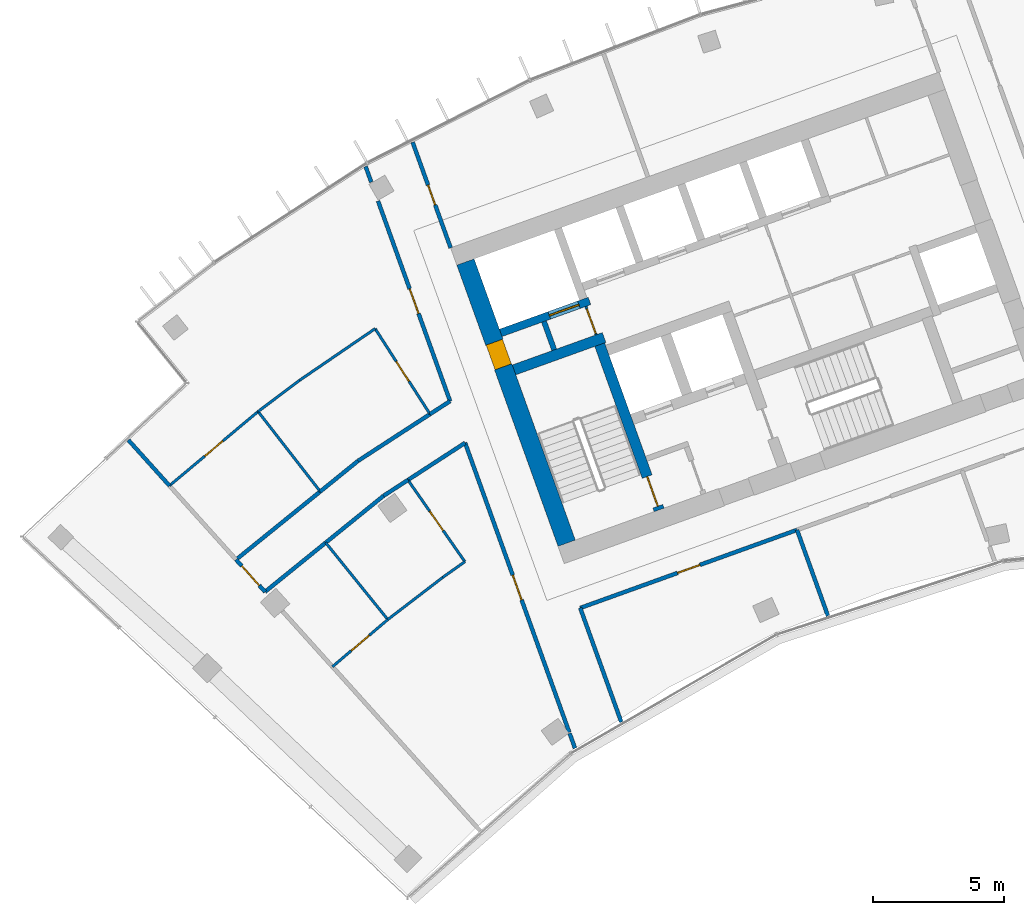
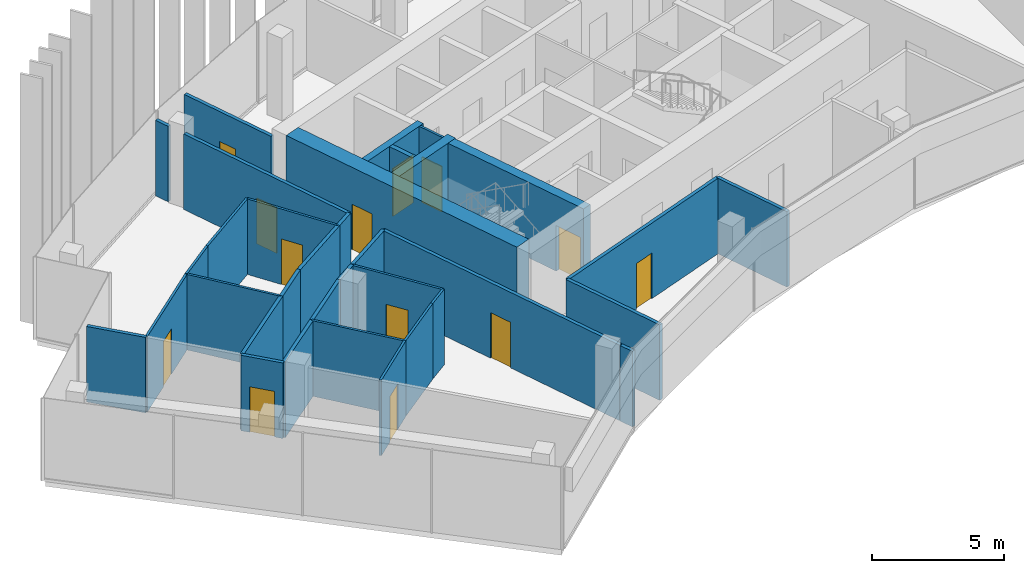
# One storey, part 13 of 19: 34 walls, 13 doors, 13 openings.
"""IFC4 building model written with IfcOpenShell, lengths in metres."""

from ifc_helpers import new_model, si_unit, direction, frame, frame_2d, origin, place, context, subcontext, project, spatial, rectangle, extrude, material, layer, layer_set, type_object, element, fill, save


model = new_model("IFC4")

# Units and contexts
model_context = context("Model", 3, precision=1e-05, world=origin(), true_north=direction((0.0, 1.0)))
body_context = subcontext(model_context, "Body", "Model", "MODEL_VIEW")
ifc_project = project(units=[si_unit("LENGTHUNIT", "METRE"), si_unit("AREAUNIT", "SQUARE_METRE"), si_unit("VOLUMEUNIT", "CUBIC_METRE"), si_unit("PLANEANGLEUNIT", "RADIAN"), si_unit("MASSUNIT", "GRAM", prefix="KILO")], contexts=[model_context])

# Site, building, storey
site_placement = place(None, origin())
site = spatial("IfcSite", under=ifc_project, at=site_placement, CompositionType="ELEMENT")
building_placement = place(site_placement, origin())
building = spatial("IfcBuilding", under=site, at=building_placement, Name="Stone Belt Terrace Tower", CompositionType="ELEMENT")
storey_placement = place(building_placement, frame((0.0, 0.0, 280.800048828125)))
storey = spatial("IfcBuildingStorey", under=building, at=storey_placement, Name="L68", CompositionType="ELEMENT", Elevation=280.800048828125)

# Wall, opening, door
ifc_material_1 = material(Name="Plasterboard partition")
ifc_layer_1 = layer(ifc_material_1, 0.10009765625)
ifc_layer_set_1 = layer_set([ifc_layer_1], Name="Core partition 100")
wall_type_1 = type_object("IfcWallType", Name="Core partition 100", PredefinedType="PARTITIONING", material=ifc_layer_set_1)
wall_1_placement = place(storey_placement, frame((-24.555908203125, 51.10400390625, 0.0), z_axis=(0.0, 0.0, 1.0), x_axis=(-0.338621735342, 0.94092258999, 0.0)))
wall_1 = element("IfcWall", 1, at=wall_1_placement, inside=storey, type_object=wall_type_1, Name="Core A wall", PredefinedType="PARTITIONING", context=body_context, shape_type="SweptSolid", body=[
    extrude(rectangle(XDim=1.14990234375, YDim=0.10009765625, at=frame_2d((0.574951171875, 0.0))), origin(), (0.0, 0.0, 1.0), 3.47998046875),
])
opening_1_placement = place(wall_1_placement, frame((0.050048828125, 0.0, 0.0)))
opening_1 = element("IfcOpeningElement", 2, at=opening_1_placement, cuts=wall_1, Name="Opening L68-C07", PredefinedType="OPENING", context=body_context, shape_type="SweptSolid", body=[
    extrude(rectangle(XDim=1.0, YDim=2.10009765625, at=frame_2d((0.5, 1.050048828125))), frame((0.0, 0.06005859375, 0.0), z_axis=(0.0, -1.0, 0.0), x_axis=(1.0, 0.0, 0.0)), (0.0, 0.0, 1.0), 0.1201171875),
])
ifc_material_2 = material(Name="Timber door leaf", Category="wood")
door_type_1 = type_object("IfcDoorType", Name="Core room door 1000", OperationType="SINGLE_SWING_LEFT", PredefinedType="DOOR", material=ifc_material_2)
door_1_placement = place(opening_1_placement, origin())
door_1 = element("IfcDoor", 3, at=door_1_placement, inside=storey, type_object=door_type_1, Name="Service lift lobby door core A", OperationType="SINGLE_SWING_LEFT", OverallHeight=2.10009765625, OverallWidth=1.0, PredefinedType="DOOR", context=body_context, shape_type="SweptSolid", body=[
    extrude(rectangle(XDim=1.0, YDim=2.10009765625, at=frame_2d((0.5, 1.050048828125))), frame((0.0, 0.02490234375, 0.0), z_axis=(0.0, -1.0, 0.0), x_axis=(1.0, 0.0, 0.0)), (0.0, 0.0, 1.0), 0.050048828125),
])
fill(opening_1, door_1)

ifc_material_3 = material(Name="Concrete B60", Category="concrete")
ifc_layer_2 = layer(ifc_material_3, 0.699951171875)
ifc_layer_set_2 = layer_set([ifc_layer_2], Name="Core wall 700 B60")
wall_type_2 = type_object("IfcWallType", Name="Core wall 700 B60", PredefinedType="SHEAR", material=ifc_layer_set_2)
wall_2_placement = place(storey_placement, frame((-25.679931640625, 43.153564453125, 0.0), z_axis=(0.0, 0.0, 1.0), x_axis=(-0.338625431531, 0.940921259788, 0.0)))
wall_2 = element("IfcWall", 4, at=wall_2_placement, inside=storey, type_object=wall_type_2, Name="Core A wall end_a L68", PredefinedType="SHEAR", context=body_context, shape_type="SweptSolid", body=[
    extrude(rectangle(XDim=11.400146484375, YDim=0.699951171875, at=frame_2d((5.7001953125, 0.0))), origin(), (0.0, 0.0, 1.0), 3.800048828125),
])
opening_2_placement = place(wall_2_placement, frame((7.14990234375, 0.0, 0.0)))
opening_2 = element("IfcOpeningElement", 5, at=opening_2_placement, cuts=wall_2, Name="Opening L68-C06", PredefinedType="OPENING", context=body_context, shape_type="SweptSolid", body=[
    extrude(rectangle(XDim=1.0, YDim=2.10009765625, at=frame_2d((0.5, 1.050048828125))), frame((0.0, 0.35986328125, 0.0), z_axis=(0.0, -1.0, 0.0), x_axis=(1.0, 0.0, 0.0)), (0.0, 0.0, 1.0), 0.719970703125),
])
door_2_placement = place(opening_2_placement, origin())
door_2 = element("IfcDoor", 6, at=door_2_placement, inside=storey, type_object=door_type_1, Name="Door to Telecommunications riser room core A", OperationType="SINGLE_SWING_RIGHT", OverallHeight=2.10009765625, OverallWidth=1.0, PredefinedType="DOOR", context=body_context, shape_type="SweptSolid", body=[
    extrude(rectangle(XDim=1.0, YDim=2.10009765625, at=frame_2d((0.5, 1.050048828125))), frame((0.0, 0.330078125, 0.0), z_axis=(0.0, -1.0, 0.0), x_axis=(1.0, 0.0, 0.0)), (0.0, 0.0, 1.0), 0.659912109375),
])
fill(opening_2, door_2)

ifc_material_4 = material(Name="Concrete B80", Category="concrete")
ifc_layer_3 = layer(ifc_material_4, 0.300048828125)
ifc_layer_set_3 = layer_set([ifc_layer_3], Name="Lift shaft wall 300")
wall_type_3 = type_object("IfcWallType", Name="Lift shaft wall 300", PredefinedType="SHEAR", material=ifc_layer_set_3)
wall_3_placement = place(storey_placement, frame((-28.195068359375, 51.17578125, 0.0), z_axis=(0.0, 0.0, 1.0), x_axis=(0.940901243567, 0.338681044427, 0.0)))
wall_3 = element("IfcWall", 7, at=wall_3_placement, inside=storey, type_object=wall_type_3, Name="Core A wall", PredefinedType="SHEAR", context=body_context, shape_type="SweptSolid", body=[
    extrude(rectangle(XDim=3.599853515625, YDim=0.300048828125, at=frame_2d((1.7998046875, 0.0))), origin(), (0.0, 0.0, 1.0), 3.47998046875),
])
opening_3_placement = place(wall_3_placement, frame((1.969970703125, 0.0, 0.0)))
opening_3 = element("IfcOpeningElement", 8, at=opening_3_placement, cuts=wall_3, Name="Opening L68-LD07", PredefinedType="OPENING", context=body_context, shape_type="SweptSolid", body=[
    extrude(rectangle(XDim=1.199951171875, YDim=2.199951171875, at=frame_2d((0.60009765625, 1.10009765625))), frame((0.0, 0.159912109375, 0.0), z_axis=(0.0, -1.0, 0.0), x_axis=(1.0, 0.0, 0.0)), (0.0, 0.0, 1.0), 0.320068359375),
])
ifc_material_5 = material(Name="Stainless steel door leaf", Category="steel")
door_type_2 = type_object("IfcDoorType", Name="Landing door 1200", OperationType="SLIDING_TO_LEFT", PredefinedType="DOOR", material=ifc_material_5)
door_3_placement = place(opening_3_placement, origin())
door_3 = element("IfcDoor", 9, at=door_3_placement, inside=storey, type_object=door_type_2, Name="Landing door SV1 core A", OperationType="SLIDING_TO_LEFT", OverallHeight=2.199951171875, OverallWidth=1.199951171875, PredefinedType="DOOR", context=body_context, shape_type="SweptSolid", body=[
    extrude(rectangle(XDim=1.199951171875, YDim=2.199951171875, at=frame_2d((0.60009765625, 1.10009765625))), frame((0.0, 0.02490234375, 0.0), z_axis=(0.0, -1.0, 0.0), x_axis=(1.0, 0.0, 0.0)), (0.0, 0.0, 1.0), 0.050048828125),
])
fill(opening_3, door_3)

ifc_material_6 = material(Name="Gypsum board partition")
ifc_layer_4 = layer(ifc_material_6, 0.10009765625)
ifc_layer_set_4 = layer_set([ifc_layer_4], Name="PARTITION 100")
wall_type_4 = type_object("IfcWallType", Name="PARTITION 100", PredefinedType="PARTITIONING", material=ifc_layer_set_4)
wall_4_placement = place(storey_placement, frame((-34.614013671875, 38.443115234375, 0.0), z_axis=(0.0, 0.0, 1.0), x_axis=(0.761006539664, 0.648744207364, 0.0)))
wall_4 = element("IfcWall", 10, at=wall_4_placement, inside=storey, type_object=wall_type_4, Name="L68/wall/i050", PredefinedType="PARTITIONING", context=body_context, shape_type="SweptSolid", body=[
    extrude(rectangle(XDim=2.772705078125, YDim=0.10009765625, at=frame_2d((1.38623046875, 0.0))), origin(), (0.0, 0.0, 1.0), 3.47998046875),
])
opening_4_placement = place(wall_4_placement, frame((0.9365234375, 0.0, 0.0)))
opening_4 = element("IfcOpeningElement", 11, at=opening_4_placement, cuts=wall_4, Name="Opening D-E2-13", PredefinedType="OPENING", context=body_context, shape_type="SweptSolid", body=[
    extrude(rectangle(XDim=0.89990234375, YDim=2.10009765625, at=frame_2d((0.449951171875, 1.050048828125))), frame((0.0, 0.06005859375, 0.0), z_axis=(0.0, -1.0, 0.0), x_axis=(1.0, 0.0, 0.0)), (0.0, 0.0, 1.0), 0.1201171875),
])
door_type_3 = type_object("IfcDoorType", Name="OFFICE DOOR 900 X 2100", OperationType="NOTDEFINED", PredefinedType="DOOR", material=ifc_material_2)
door_4_placement = place(opening_4_placement, origin())
door_4 = element("IfcDoor", 12, at=door_4_placement, inside=storey, type_object=door_type_3, Name="L68/door/i13", OperationType="SINGLE_SWING_RIGHT", OverallHeight=2.10009765625, OverallWidth=0.89990234375, PredefinedType="DOOR", context=body_context, shape_type="SweptSolid", body=[
    extrude(rectangle(XDim=0.89990234375, YDim=2.10009765625, at=frame_2d((0.449951171875, 1.050048828125))), frame((0.0, 0.02490234375, 0.0), z_axis=(0.0, -1.0, 0.0), x_axis=(1.0, 0.0, 0.0)), (0.0, 0.0, 1.0), 0.050048828125),
])
fill(opening_4, door_4)

# Walls
wall_5_placement = place(storey_placement, frame((-32.50390625, 40.241943359375, 0.0), z_axis=(0.0, 0.0, 1.0), x_axis=(0.79364946925, 0.60837531176, 0.0)))
element("IfcWall", 13, at=wall_5_placement, inside=storey, type_object=wall_type_4, Name="L68/wall/i051", PredefinedType="PARTITIONING", context=body_context, shape_type="SweptSolid", body=[
    extrude(rectangle(XDim=2.643310546875, YDim=0.10009765625, at=frame_2d((1.32177734375, 0.0))), origin(), (0.0, 0.0, 1.0), 3.47998046875),
])
wall_6_placement = place(storey_placement, frame((-30.406005859375, 41.85009765625, 0.0), z_axis=(0.0, 0.0, 1.0), x_axis=(0.814913166391, 0.579583066732, 0.0)))
element("IfcWall", 14, at=wall_6_placement, inside=storey, type_object=wall_type_4, Name="L68/wall/i052", PredefinedType="PARTITIONING", context=body_context, shape_type="SweptSolid", body=[
    extrude(rectangle(XDim=1.033203125, YDim=0.10009765625, at=frame_2d((0.5166015625, 0.0))), origin(), (0.0, 0.0, 1.0), 3.47998046875),
])

# Wall, opening, door
wall_7_placement = place(storey_placement, frame((-29.56396484375, 42.448974609375, 0.0), z_axis=(0.0, 0.0, 1.0), x_axis=(-0.571687766548, 0.820471265541, 0.0)))
wall_7 = element("IfcWall", 15, at=wall_7_placement, inside=storey, type_object=wall_type_4, Name="L68/wall/i053", PredefinedType="PARTITIONING", context=body_context, shape_type="SweptSolid", body=[
    extrude(rectangle(XDim=3.7978515625, YDim=0.10009765625, at=frame_2d((1.89892578125, 0.0))), origin(), (0.0, 0.0, 1.0), 3.47998046875),
])
opening_5_placement = place(wall_7_placement, frame((1.448974609375, 0.0, 0.0)))
opening_5 = element("IfcOpeningElement", 16, at=opening_5_placement, cuts=wall_7, Name="Opening D-E2-14", PredefinedType="OPENING", context=body_context, shape_type="SweptSolid", body=[
    extrude(rectangle(XDim=0.89990234375, YDim=2.10009765625, at=frame_2d((0.449951171875, 1.050048828125))), frame((0.0, 0.06005859375, 0.0), z_axis=(0.0, -1.0, 0.0), x_axis=(1.0, 0.0, 0.0)), (0.0, 0.0, 1.0), 0.1201171875),
])
door_5_placement = place(opening_5_placement, origin())
door_5 = element("IfcDoor", 17, at=door_5_placement, inside=storey, type_object=door_type_3, Name="L68/door/i14", OperationType="SINGLE_SWING_RIGHT", OverallHeight=2.10009765625, OverallWidth=0.89990234375, PredefinedType="DOOR", context=body_context, shape_type="SweptSolid", body=[
    extrude(rectangle(XDim=0.89990234375, YDim=2.10009765625, at=frame_2d((0.449951171875, 1.050048828125))), frame((0.0, 0.02490234375, 0.0), z_axis=(0.0, -1.0, 0.0), x_axis=(1.0, 0.0, 0.0)), (0.0, 0.0, 1.0), 0.050048828125),
])
fill(opening_5, door_5)

# Wall
wall_8_placement = place(storey_placement, frame((-34.873046875, 43.174072265625, 0.0), z_axis=(0.0, 0.0, 1.0), x_axis=(0.628478802545, -0.777826712547, 0.0)))
element("IfcWall", 18, at=wall_8_placement, inside=storey, type_object=wall_type_4, Name="L68/wall/i054", PredefinedType="PARTITIONING", context=body_context, shape_type="SweptSolid", body=[
    extrude(rectangle(XDim=3.76953125, YDim=0.10009765625, at=frame_2d((1.884765625, 0.0))), origin(), (0.0, 0.0, 1.0), 3.47998046875),
])

# Wall, opening, door
wall_9_placement = place(storey_placement, frame((-37.451904296875, 48.177001953125, 0.0), z_axis=(0.0, 0.0, 1.0), x_axis=(-0.766843891386, -0.641833659327, 0.0)))
wall_9 = element("IfcWall", 19, at=wall_9_placement, inside=storey, type_object=wall_type_4, Name="L68/wall/i055", PredefinedType="PARTITIONING", context=body_context, shape_type="SweptSolid", body=[
    extrude(rectangle(XDim=4.407958984375, YDim=0.10009765625, at=frame_2d((2.2041015625, 0.0))), origin(), (0.0, 0.0, 1.0), 3.47998046875),
])
opening_6_placement = place(wall_9_placement, frame((1.75390625, 0.0, 0.0)))
opening_6 = element("IfcOpeningElement", 20, at=opening_6_placement, cuts=wall_9, Name="Opening D-E2-16", PredefinedType="OPENING", context=body_context, shape_type="SweptSolid", body=[
    extrude(rectangle(XDim=0.89990234375, YDim=2.10009765625, at=frame_2d((0.449951171875, 1.050048828125))), frame((0.0, 0.06005859375, 0.0), z_axis=(0.0, -1.0, 0.0), x_axis=(1.0, 0.0, 0.0)), (0.0, 0.0, 1.0), 0.1201171875),
])
door_6_placement = place(opening_6_placement, origin())
door_6 = element("IfcDoor", 21, at=door_6_placement, inside=storey, type_object=door_type_3, Name="L68/door/i16", OperationType="SINGLE_SWING_RIGHT", OverallHeight=2.10009765625, OverallWidth=0.89990234375, PredefinedType="DOOR", context=body_context, shape_type="SweptSolid", body=[
    extrude(rectangle(XDim=0.89990234375, YDim=2.10009765625, at=frame_2d((0.449951171875, 1.050048828125))), frame((0.0, 0.02490234375, 0.0), z_axis=(0.0, -1.0, 0.0), x_axis=(1.0, 0.0, 0.0)), (0.0, 0.0, 1.0), 0.050048828125),
])
fill(opening_6, door_6)

wall_10_placement = place(storey_placement, frame((-30.89208984375, 48.077880859375, 0.0), z_axis=(0.0, 0.0, 1.0), x_axis=(-0.540442272647, 0.841381096731, 0.0)))
wall_10 = element("IfcWall", 22, at=wall_10_placement, inside=storey, type_object=wall_type_4, Name="L68/wall/i056", PredefinedType="PARTITIONING", context=body_context, shape_type="SweptSolid", body=[
    extrude(rectangle(XDim=3.87451171875, YDim=0.10009765625, at=frame_2d((1.937255859375, 0.0))), origin(), (0.0, 0.0, 1.0), 3.47998046875),
])
opening_7_placement = place(wall_10_placement, frame((1.4873046875, 0.0, 0.0)))
opening_7 = element("IfcOpeningElement", 23, at=opening_7_placement, cuts=wall_10, Name="Opening D-E2-17", PredefinedType="OPENING", context=body_context, shape_type="SweptSolid", body=[
    extrude(rectangle(XDim=0.89990234375, YDim=2.10009765625, at=frame_2d((0.449951171875, 1.050048828125))), frame((0.0, 0.06005859375, 0.0), z_axis=(0.0, -1.0, 0.0), x_axis=(1.0, 0.0, 0.0)), (0.0, 0.0, 1.0), 0.1201171875),
])
door_7_placement = place(opening_7_placement, origin())
door_7 = element("IfcDoor", 24, at=door_7_placement, inside=storey, type_object=door_type_3, Name="L68/door/i17", OperationType="SINGLE_SWING_RIGHT", OverallHeight=2.10009765625, OverallWidth=0.89990234375, PredefinedType="DOOR", context=body_context, shape_type="SweptSolid", body=[
    extrude(rectangle(XDim=0.89990234375, YDim=2.10009765625, at=frame_2d((0.449951171875, 1.050048828125))), frame((0.0, 0.02490234375, 0.0), z_axis=(0.0, -1.0, 0.0), x_axis=(1.0, 0.0, 0.0)), (0.0, 0.0, 1.0), 0.050048828125),
])
fill(opening_7, door_7)

# Walls
wall_11_placement = place(storey_placement, frame((-32.986083984375, 51.337890625, 0.0), z_axis=(0.0, 0.0, 1.0), x_axis=(-0.825549065717, -0.5643303466, 0.0)))
element("IfcWall", 25, at=wall_11_placement, inside=storey, type_object=wall_type_4, Name="L68/wall/i057", PredefinedType="PARTITIONING", context=body_context, shape_type="SweptSolid", body=[
    extrude(rectangle(XDim=3.49072265625, YDim=0.10009765625, at=frame_2d((1.745361328125, 0.0))), origin(), (0.0, 0.0, 1.0), 3.47998046875),
])
wall_12_placement = place(storey_placement, frame((-35.867919921875, 49.367919921875, 0.0), z_axis=(0.0, 0.0, 1.0), x_axis=(-0.799289836713, -0.600945718786, 0.0)))
element("IfcWall", 26, at=wall_12_placement, inside=storey, type_object=wall_type_4, Name="L68/wall/i058", PredefinedType="PARTITIONING", context=body_context, shape_type="SweptSolid", body=[
    extrude(rectangle(XDim=1.981689453125, YDim=0.10009765625, at=frame_2d((0.99072265625, 0.0))), origin(), (0.0, 0.0, 1.0), 3.47998046875),
])
wall_13_placement = place(storey_placement, frame((-37.451904296875, 48.177001953125, 0.0), z_axis=(0.0, 0.0, 1.0), x_axis=(0.613748153551, -0.78950187081, 0.0)))
element("IfcWall", 27, at=wall_13_placement, inside=storey, type_object=wall_type_4, Name="L68/wall/i059", PredefinedType="PARTITIONING", context=body_context, shape_type="SweptSolid", body=[
    extrude(rectangle(XDim=3.864501953125, YDim=0.10009765625, at=frame_2d((1.93212890625, 0.0))), origin(), (0.0, 0.0, 1.0), 3.47998046875),
])
ifc_layer_5 = layer(ifc_material_6, 0.14990234375)
ifc_layer_set_5 = layer_set([ifc_layer_5], Name="PARTITION 150 EI 60")
wall_type_5 = type_object("IfcWallType", Name="PARTITION 150 EI 60", PredefinedType="PARTITIONING", material=ifc_layer_set_5)
wall_14_placement = place(storey_placement, frame((-25.1650390625, 40.68896484375, 0.0), z_axis=(0.0, 0.0, 1.0), x_axis=(0.338609342271, -0.94092704995, 0.0)))
element("IfcWall", 28, at=wall_14_placement, inside=storey, type_object=wall_type_5, Name="L68/wall/i001", PredefinedType="PARTITIONING", context=body_context, shape_type="SweptSolid", body=[
    extrude(rectangle(XDim=4.6318359375, YDim=0.14990234375, at=frame_2d((2.31591796875, 0.0))), origin(), (0.0, 0.0, 1.0), 3.47998046875),
])

# Wall, opening, door
wall_15_placement = place(storey_placement, frame((-31.556884765625, 58.4521484375, 0.0), z_axis=(0.0, 0.0, 1.0), x_axis=(0.338580264222, -0.940937513695, 0.0)))
wall_15 = element("IfcWall", 29, at=wall_15_placement, inside=storey, type_object=wall_type_5, Name="L68/wall/i002", PredefinedType="PARTITIONING", context=body_context, shape_type="SweptSolid", body=[
    extrude(rectangle(XDim=4.285400390625, YDim=0.14990234375, at=frame_2d((2.142578125, 0.0))), origin(), (0.0, 0.0, 1.0), 3.47998046875),
])
opening_8_placement = place(wall_15_placement, frame((1.74267578125, 0.0, 0.0)))
opening_8 = element("IfcOpeningElement", 30, at=opening_8_placement, cuts=wall_15, Name="Opening D-E2-04", PredefinedType="OPENING", context=body_context, shape_type="SweptSolid", body=[
    extrude(rectangle(XDim=0.800048828125, YDim=2.10009765625, at=frame_2d((0.39990234375, 1.050048828125))), frame((0.0, 0.0849609375, 0.0), z_axis=(0.0, -1.0, 0.0), x_axis=(1.0, 0.0, 0.0)), (0.0, 0.0, 1.0), 0.169921875),
])
door_type_4 = type_object("IfcDoorType", Name="STORE DOOR 800 X 2100", OperationType="NOTDEFINED", PredefinedType="DOOR", material=ifc_material_2)
door_8_placement = place(opening_8_placement, origin())
door_8 = element("IfcDoor", 31, at=door_8_placement, inside=storey, type_object=door_type_4, Name="L68/door/i04", OperationType="SINGLE_SWING_RIGHT", OverallHeight=2.10009765625, OverallWidth=0.800048828125, PredefinedType="DOOR", context=body_context, shape_type="SweptSolid", body=[
    extrude(rectangle(XDim=0.800048828125, YDim=2.10009765625, at=frame_2d((0.39990234375, 1.050048828125))), frame((0.0, 0.02490234375, 0.0), z_axis=(0.0, -1.0, 0.0), x_axis=(1.0, 0.0, 0.0)), (0.0, 0.0, 1.0), 0.050048828125),
])
fill(opening_8, door_8)

# Wall
wall_16_placement = place(storey_placement, frame((-25.361083984375, 35.329833984375, 0.0), z_axis=(0.0, 0.0, 1.0), x_axis=(-0.338633814852, 0.940918242696, 0.0)))
element("IfcWall", 32, at=wall_16_placement, inside=storey, type_object=wall_type_5, Name="L68/wall/i003", PredefinedType="PARTITIONING", context=body_context, shape_type="SweptSolid", body=[
    extrude(rectangle(XDim=0.605712890625, YDim=0.14990234375, at=frame_2d((0.302734375, 0.0))), origin(), (0.0, 0.0, 1.0), 3.47998046875),
])

# Wall, opening, door
wall_17_placement = place(storey_placement, frame((-25.5810546875, 35.94091796875, 0.0), z_axis=(0.0, 0.0, 1.0), x_axis=(-0.338660555828, 0.940908618265, 0.0)))
wall_17 = element("IfcWall", 33, at=wall_17_placement, inside=storey, type_object=wall_type_5, Name="L68/wall/i004", PredefinedType="PARTITIONING", context=body_context, shape_type="SweptSolid", body=[
    extrude(rectangle(XDim=11.73974609375, YDim=0.14990234375, at=frame_2d((5.869873046875, 0.0))), origin(), (0.0, 0.0, 1.0), 3.47998046875),
])
opening_9_placement = place(wall_17_placement, frame((5.369873046875, 0.0, 0.0)))
opening_9 = element("IfcOpeningElement", 34, at=opening_9_placement, cuts=wall_17, Name="Opening D-E2-12", PredefinedType="OPENING", context=body_context, shape_type="SweptSolid", body=[
    extrude(rectangle(XDim=1.0, YDim=2.10009765625, at=frame_2d((0.5, 1.050048828125))), frame((0.0, 0.0849609375, 0.0), z_axis=(0.0, -1.0, 0.0), x_axis=(1.0, 0.0, 0.0)), (0.0, 0.0, 1.0), 0.169921875),
])
ifc_material_7 = material(Name="Timber fire door leaf", Category="wood")
door_type_5 = type_object("IfcDoorType", Name="TENANCY ENTRANCE DOOR 1000 X 2100", OperationType="NOTDEFINED", PredefinedType="DOOR", material=ifc_material_7)
door_9_placement = place(opening_9_placement, origin())
door_9 = element("IfcDoor", 35, at=door_9_placement, inside=storey, type_object=door_type_5, Name="L68/door/i12", OperationType="SINGLE_SWING_LEFT", OverallHeight=2.10009765625, OverallWidth=1.0, PredefinedType="DOOR", context=body_context, shape_type="SweptSolid", body=[
    extrude(rectangle(XDim=1.0, YDim=2.10009765625, at=frame_2d((0.5, 1.050048828125))), frame((0.0, 0.02490234375, 0.0), z_axis=(0.0, -1.0, 0.0), x_axis=(1.0, 0.0, 0.0)), (0.0, 0.0, 1.0), 0.050048828125),
])
fill(opening_9, door_9)

wall_18_placement = place(storey_placement, frame((-30.1259765625, 48.568115234375, 0.0), z_axis=(0.0, 0.0, 1.0), x_axis=(-0.338638537247, 0.940916543106, 0.0)))
wall_18 = element("IfcWall", 36, at=wall_18_placement, inside=storey, type_object=wall_type_5, Name="L68/wall/i005", PredefinedType="PARTITIONING", context=body_context, shape_type="SweptSolid", body=[
    extrude(rectangle(XDim=8.11865234375, YDim=0.14990234375, at=frame_2d((4.059326171875, 0.0))), origin(), (0.0, 0.0, 1.0), 3.47998046875),
])
opening_10_placement = place(wall_18_placement, frame((3.559326171875, 0.0, 0.0)))
opening_10 = element("IfcOpeningElement", 37, at=opening_10_placement, cuts=wall_18, Name="Opening D-E2-15", PredefinedType="OPENING", context=body_context, shape_type="SweptSolid", body=[
    extrude(rectangle(XDim=1.0, YDim=2.10009765625, at=frame_2d((0.5, 1.050048828125))), frame((0.0, 0.0849609375, 0.0), z_axis=(0.0, -1.0, 0.0), x_axis=(1.0, 0.0, 0.0)), (0.0, 0.0, 1.0), 0.169921875),
])
door_10_placement = place(opening_10_placement, origin())
door_10 = element("IfcDoor", 38, at=door_10_placement, inside=storey, type_object=door_type_5, Name="L68/door/i15", OperationType="SINGLE_SWING_RIGHT", OverallHeight=2.10009765625, OverallWidth=1.0, PredefinedType="DOOR", context=body_context, shape_type="SweptSolid", body=[
    extrude(rectangle(XDim=1.0, YDim=2.10009765625, at=frame_2d((0.5, 1.050048828125))), frame((0.0, 0.02490234375, 0.0), z_axis=(0.0, -1.0, 0.0), x_axis=(1.0, 0.0, 0.0)), (0.0, 0.0, 1.0), 0.050048828125),
])
fill(opening_10, door_10)

# Wall
wall_19_placement = place(storey_placement, frame((-33.134765625, 56.928466796875, 0.0), z_axis=(0.0, 0.0, 1.0), x_axis=(-0.338733145318, 0.94088248802, 0.0)))
element("IfcWall", 39, at=wall_19_placement, inside=storey, type_object=wall_type_5, Name="L68/wall/i006", PredefinedType="PARTITIONING", context=body_context, shape_type="SweptSolid", body=[
    extrude(rectangle(XDim=0.632080078125, YDim=0.14990234375, at=frame_2d((0.31591796875, 0.0))), origin(), (0.0, 0.0, 1.0), 3.47998046875),
])

# Wall, opening, door
wall_20_placement = place(storey_placement, frame((-16.886962890625, 43.662109375, 0.0), z_axis=(0.0, 0.0, 1.0), x_axis=(-0.940901918057, -0.338679170599, 0.0)))
wall_20 = element("IfcWall", 40, at=wall_20_placement, inside=storey, type_object=wall_type_5, Name="L68/wall/i011", PredefinedType="PARTITIONING", context=body_context, shape_type="SweptSolid", body=[
    extrude(rectangle(XDim=8.7958984375, YDim=0.14990234375, at=frame_2d((4.39794921875, 0.0))), origin(), (0.0, 0.0, 1.0), 3.47998046875),
])
opening_11_placement = place(wall_20_placement, frame((3.947998046875, 0.0, 0.0)))
opening_11 = element("IfcOpeningElement", 41, at=opening_11_placement, cuts=wall_20, Name="Opening D-E2-01", PredefinedType="OPENING", context=body_context, shape_type="SweptSolid", body=[
    extrude(rectangle(XDim=0.89990234375, YDim=2.10009765625, at=frame_2d((0.449951171875, 1.050048828125))), frame((0.0, 0.0849609375, 0.0), z_axis=(0.0, -1.0, 0.0), x_axis=(1.0, 0.0, 0.0)), (0.0, 0.0, 1.0), 0.169921875),
])
door_11_placement = place(opening_11_placement, origin())
door_11 = element("IfcDoor", 42, at=door_11_placement, inside=storey, type_object=door_type_3, Name="L68/door/i01", OperationType="SINGLE_SWING_RIGHT", OverallHeight=2.10009765625, OverallWidth=0.89990234375, PredefinedType="DOOR", context=body_context, shape_type="SweptSolid", body=[
    extrude(rectangle(XDim=0.89990234375, YDim=2.10009765625, at=frame_2d((0.449951171875, 1.050048828125))), frame((0.0, 0.02490234375, 0.0), z_axis=(0.0, -1.0, 0.0), x_axis=(1.0, 0.0, 0.0)), (0.0, 0.0, 1.0), 0.050048828125),
])
fill(opening_11, door_11)

# Wall
wall_21_placement = place(storey_placement, frame((-16.89208984375, 43.658935546875, 0.0), z_axis=(0.0, 0.0, 1.0), x_axis=(0.33852083137, -0.94095889747, 0.0)))
element("IfcWall", 43, at=wall_21_placement, inside=storey, type_object=wall_type_5, Name="L68/wall/i014", PredefinedType="PARTITIONING", context=body_context, shape_type="SweptSolid", body=[
    extrude(rectangle(XDim=3.48193359375, YDim=0.14990234375, at=frame_2d((1.740966796875, 0.0))), origin(), (0.0, 0.0, 1.0), 3.47998046875),
])

# Wall, opening, door
wall_22_placement = place(storey_placement, frame((-37.18310546875, 41.294921875, 0.0), z_axis=(0.0, 0.0, 1.0), x_axis=(-0.669037778615, 0.743228397456, 0.0)))
wall_22 = element("IfcWall", 44, at=wall_22_placement, inside=storey, type_object=wall_type_5, Name="L68/wall/i037", PredefinedType="PARTITIONING", context=body_context, shape_type="SweptSolid", body=[
    extrude(rectangle(XDim=1.661865234375, YDim=0.14990234375, at=frame_2d((0.8310546875, 0.0))), origin(), (0.0, 0.0, 1.0), 3.47998046875),
])
opening_12_placement = place(wall_22_placement, frame((0.330810546875, 0.0, 0.0)))
opening_12 = element("IfcOpeningElement", 45, at=opening_12_placement, cuts=wall_22, Name="Opening D-E2-11", PredefinedType="OPENING", context=body_context, shape_type="SweptSolid", body=[
    extrude(rectangle(XDim=1.0, YDim=2.10009765625, at=frame_2d((0.5, 1.050048828125))), frame((0.0, 0.0849609375, 0.0), z_axis=(0.0, -1.0, 0.0), x_axis=(1.0, 0.0, 0.0)), (0.0, 0.0, 1.0), 0.169921875),
])
door_12_placement = place(opening_12_placement, origin())
door_12 = element("IfcDoor", 46, at=door_12_placement, inside=storey, type_object=door_type_5, Name="L68/door/i11", OperationType="SINGLE_SWING_RIGHT", OverallHeight=2.10009765625, OverallWidth=1.0, PredefinedType="DOOR", context=body_context, shape_type="SweptSolid", body=[
    extrude(rectangle(XDim=1.0, YDim=2.10009765625, at=frame_2d((0.5, 1.050048828125))), frame((0.0, 0.02490234375, 0.0), z_axis=(0.0, -1.0, 0.0), x_axis=(1.0, 0.0, 0.0)), (0.0, 0.0, 1.0), 0.050048828125),
])
fill(opening_12, door_12)

# Walls
wall_23_placement = place(storey_placement, frame((-42.39892578125, 47.08837890625, 0.0), z_axis=(0.0, 0.0, 1.0), x_axis=(0.669016425436, -0.743247618561, 0.0)))
element("IfcWall", 47, at=wall_23_placement, inside=storey, type_object=wall_type_5, Name="L68/wall/i040", PredefinedType="PARTITIONING", context=body_context, shape_type="SweptSolid", body=[
    extrude(rectangle(XDim=2.348388671875, YDim=0.14990234375, at=frame_2d((1.17431640625, 0.0))), origin(), (0.0, 0.0, 1.0), 3.47998046875),
])
wall_24_placement = place(storey_placement, frame((-29.554931640625, 46.98095703125, 0.0), z_axis=(0.0, 0.0, 1.0), x_axis=(-0.838679041063, -0.544625987336, 0.0)))
element("IfcWall", 48, at=wall_24_placement, inside=storey, type_object=wall_type_5, Name="L68/wall/i042", PredefinedType="PARTITIONING", context=body_context, shape_type="SweptSolid", body=[
    extrude(rectangle(XDim=2.60546875, YDim=0.14990234375, at=frame_2d((1.302734375, 0.0))), origin(), (0.0, 0.0, 1.0), 3.47998046875),
])
wall_25_placement = place(storey_placement, frame((-34.867919921875, 43.177978515625, 0.0), z_axis=(0.0, 0.0, 1.0), x_axis=(-0.777151504494, -0.629313545907, 0.0)))
element("IfcWall", 49, at=wall_25_placement, inside=storey, type_object=wall_type_5, Name="L68/wall/i043", PredefinedType="PARTITIONING", context=body_context, shape_type="SweptSolid", body=[
    extrude(rectangle(XDim=2.984130859375, YDim=0.14990234375, at=frame_2d((1.4921875, 0.0))), origin(), (0.0, 0.0, 1.0), 3.47998046875),
])
wall_26_placement = place(storey_placement, frame((-31.72998046875, 45.568115234375, 0.0), z_axis=(0.0, 0.0, 1.0), x_axis=(-0.838953186683, -0.544203592927, 0.0)))
element("IfcWall", 50, at=wall_26_placement, inside=storey, type_object=wall_type_5, Name="L68/wall/i044", PredefinedType="PARTITIONING", context=body_context, shape_type="SweptSolid", body=[
    extrude(rectangle(XDim=1.11572265625, YDim=0.14990234375, at=frame_2d((0.557861328125, 0.0))), origin(), (0.0, 0.0, 1.0), 3.47998046875),
])
wall_27_placement = place(storey_placement, frame((-32.666015625, 44.9609375, 0.0), z_axis=(0.0, 0.0, 1.0), x_axis=(-0.77717295087, -0.629287060439, 0.0)))
element("IfcWall", 51, at=wall_27_placement, inside=storey, type_object=wall_type_5, Name="L68/wall/i045", PredefinedType="PARTITIONING", context=body_context, shape_type="SweptSolid", body=[
    extrude(rectangle(XDim=2.84619140625, YDim=0.14990234375, at=frame_2d((1.423095703125, 0.0))), origin(), (0.0, 0.0, 1.0), 3.47998046875),
])
wall_28_placement = place(storey_placement, frame((-30.89697265625, 48.074951171875, 0.0), z_axis=(0.0, 0.0, 1.0), x_axis=(0.838869265382, 0.544332945537, 0.0)))
element("IfcWall", 52, at=wall_28_placement, inside=storey, type_object=wall_type_5, Name="L68/wall/i046", PredefinedType="PARTITIONING", context=body_context, shape_type="SweptSolid", body=[
    extrude(rectangle(XDim=0.916748046875, YDim=0.14990234375, at=frame_2d((0.45849609375, 0.0))), origin(), (0.0, 0.0, 1.0), 3.47998046875),
])
wall_29_placement = place(storey_placement, frame((-38.291015625, 42.52587890625, 0.0), z_axis=(0.0, 0.0, 1.0), x_axis=(0.777183040094, 0.629274599988, 0.0)))
element("IfcWall", 53, at=wall_29_placement, inside=storey, type_object=wall_type_5, Name="L68/wall/i047", PredefinedType="PARTITIONING", context=body_context, shape_type="SweptSolid", body=[
    extrude(rectangle(XDim=4.13818359375, YDim=0.14990234375, at=frame_2d((2.069091796875, 0.0))), origin(), (0.0, 0.0, 1.0), 3.47998046875),
])
wall_30_placement = place(storey_placement, frame((-35.0849609375, 45.1220703125, 0.0), z_axis=(0.0, 0.0, 1.0), x_axis=(0.777022254628, 0.629473125569, 0.0)))
element("IfcWall", 54, at=wall_30_placement, inside=storey, type_object=wall_type_5, Name="L68/wall/i048", PredefinedType="PARTITIONING", context=body_context, shape_type="SweptSolid", body=[
    extrude(rectangle(XDim=1.86474609375, YDim=0.14990234375, at=frame_2d((0.932373046875, 0.0))), origin(), (0.0, 0.0, 1.0), 3.47998046875),
])
wall_31_placement = place(storey_placement, frame((-33.635986328125, 46.2958984375, 0.0), z_axis=(0.0, 0.0, 1.0), x_axis=(0.838681777974, 0.544621772695, 0.0)))
element("IfcWall", 55, at=wall_31_placement, inside=storey, type_object=wall_type_5, Name="L68/wall/i049", PredefinedType="PARTITIONING", context=body_context, shape_type="SweptSolid", body=[
    extrude(rectangle(XDim=3.27783203125, YDim=0.14990234375, at=frame_2d((1.638916015625, 0.0))), origin(), (0.0, 0.0, 1.0), 3.47998046875),
])
ifc_material_8 = material(Name="Concrete masonry block", Category="masonry")
ifc_layer_6 = layer(ifc_material_8, 0.199951171875)
ifc_layer_set_6 = layer_set([ifc_layer_6], Name="Rated lobby wall 200")
wall_type_6 = type_object("IfcWallType", Name="Rated lobby wall 200", PredefinedType="PARTITIONING", material=ifc_layer_set_6)
wall_32_placement = place(storey_placement, frame((-26.1552734375, 50.5283203125, 0.0), z_axis=(0.0, 0.0, 1.0), x_axis=(-0.338621735342, 0.94092258999, 0.0)))
element("IfcWall", 56, at=wall_32_placement, inside=storey, type_object=wall_type_6, Name="Core A wall", PredefinedType="PARTITIONING", context=body_context, shape_type="SweptSolid", body=[
    extrude(rectangle(XDim=1.14990234375, YDim=0.199951171875, at=frame_2d((0.574951171875, 0.0))), origin(), (0.0, 0.0, 1.0), 3.47998046875),
])
ifc_layer_7 = layer(ifc_material_4, 0.39990234375)
ifc_layer_set_7 = layer_set([ifc_layer_7], Name="Stair enclosure wall 400")
wall_type_7 = type_object("IfcWallType", Name="Stair enclosure wall 400", PredefinedType="SHEAR", material=ifc_layer_set_7)
wall_33_placement = place(storey_placement, frame((-27.687255859375, 49.764404296875, 0.0), z_axis=(0.0, 0.0, 1.0), x_axis=(0.940918954884, 0.338631835981, 0.0)))
element("IfcWall", 57, at=wall_33_placement, inside=storey, type_object=wall_type_7, Name="Core A wall", PredefinedType="SHEAR", context=body_context, shape_type="SweptSolid", body=[
    extrude(rectangle(XDim=3.650146484375, YDim=0.39990234375, at=frame_2d((1.8251953125, 0.0))), origin(), (0.0, 0.0, 1.0), 3.47998046875),
])

# Wall, opening, door
wall_34_placement = place(storey_placement, frame((-22.151611328125, 44.42333984375, 0.0), z_axis=(0.0, 0.0, 1.0), x_axis=(-0.338625272931, 0.940921316866, 0.0)))
wall_34 = element("IfcWall", 58, at=wall_34_placement, inside=storey, type_object=wall_type_7, Name="Core A wall", PredefinedType="SHEAR", context=body_context, shape_type="SweptSolid", body=[
    extrude(rectangle(XDim=6.699951171875, YDim=0.39990234375, at=frame_2d((3.35009765625, 0.0))), origin(), (0.0, 0.0, 1.0), 3.47998046875),
])
opening_13_placement = place(wall_34_placement, frame((0.14990234375, 0.0, 0.0)))
opening_13 = element("IfcOpeningElement", 59, at=opening_13_placement, cuts=wall_34, Name="Opening L68-C10", PredefinedType="OPENING", context=body_context, shape_type="SweptSolid", body=[
    extrude(rectangle(XDim=1.199951171875, YDim=2.10009765625, at=frame_2d((0.60009765625, 1.050048828125))), frame((0.0, 0.2099609375, 0.0), z_axis=(0.0, -1.0, 0.0), x_axis=(1.0, 0.0, 0.0)), (0.0, 0.0, 1.0), 0.419921875),
])
ifc_material_9 = material(Name="Steel door leaf", Category="steel")
door_type_6 = type_object("IfcDoorType", Name="Stair door 1200", OperationType="SINGLE_SWING_LEFT", PredefinedType="DOOR", material=ifc_material_9)
door_13_placement = place(opening_13_placement, origin())
door_13 = element("IfcDoor", 60, at=door_13_placement, inside=storey, type_object=door_type_6, Name="Stair 1 door core A", OperationType="SINGLE_SWING_LEFT", OverallHeight=2.10009765625, OverallWidth=1.199951171875, PredefinedType="DOOR", context=body_context, shape_type="SweptSolid", body=[
    extrude(rectangle(XDim=1.199951171875, YDim=2.10009765625, at=frame_2d((0.60009765625, 1.050048828125))), frame((0.0, 0.02490234375, 0.0), z_axis=(0.0, -1.0, 0.0), x_axis=(1.0, 0.0, 0.0)), (0.0, 0.0, 1.0), 0.050048828125),
])
fill(opening_13, door_13)

save(model, "model.ifc")
